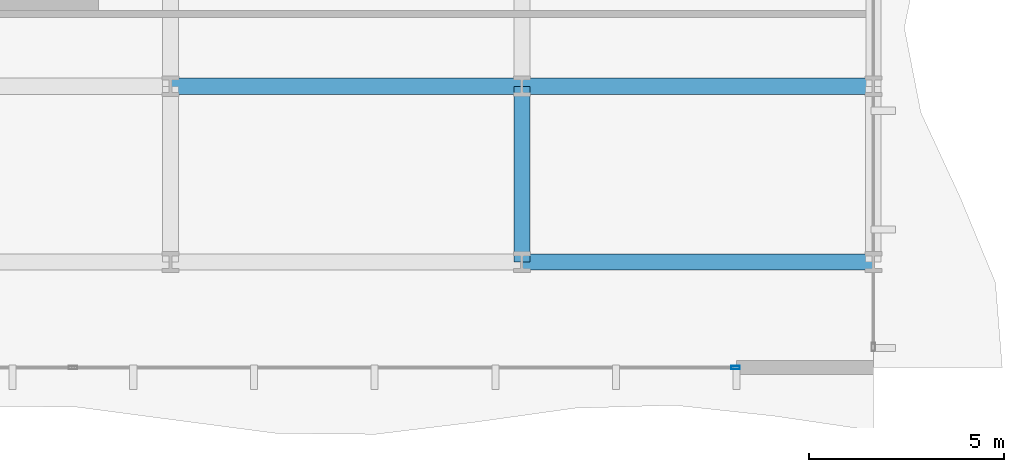
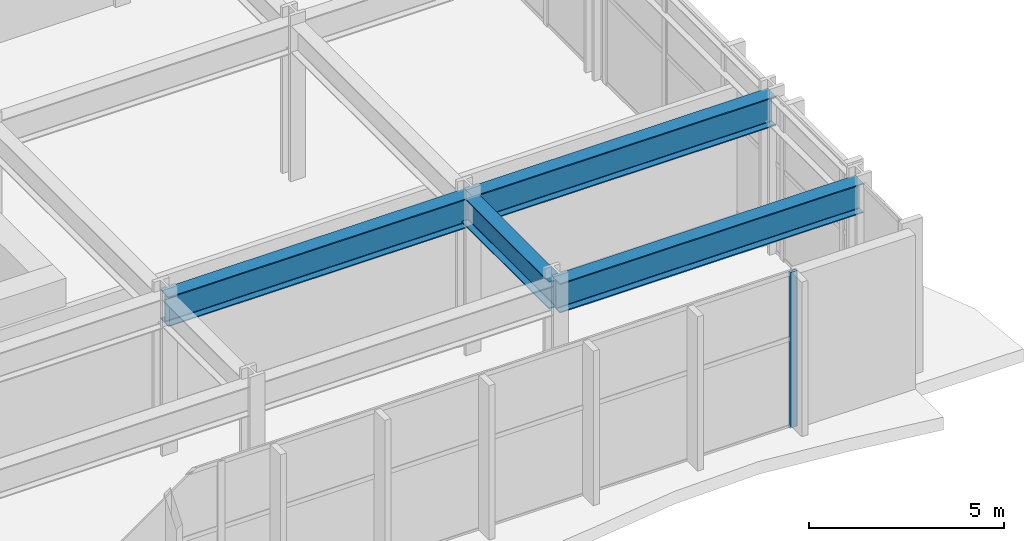
# One storey, part 10 of 33: 4 beams, 1 member, 1 element without a shape of its own.
"""IFC4 building model written with IfcOpenShell, lengths in metres."""

from ifc_helpers import new_model, si_unit, direction, frame, origin, origin_2d, place, context, subcontext, project, spatial, hollow_rectangle, i_section, extrude, material, layer, layer_set, material_profile, profile_set, type_object, element, aggregate, save


model = new_model("IFC4")

# Units and contexts
model_context = context("Model", 3, precision=1e-05, world=origin(), true_north=direction((0.0, 1.0)))
body_context = subcontext(model_context, "Body", "Model", "MODEL_VIEW")
ifc_project = project(units=[si_unit("LENGTHUNIT", "METRE"), si_unit("AREAUNIT", "SQUARE_METRE"), si_unit("VOLUMEUNIT", "CUBIC_METRE"), si_unit("PLANEANGLEUNIT", "RADIAN"), si_unit("MASSUNIT", "GRAM", prefix="KILO")], contexts=[model_context])

# Site, building, storey
site_placement = place(None, origin())
site = spatial("IfcSite", under=ifc_project, at=site_placement, CompositionType="ELEMENT")
building_placement = place(site_placement, origin())
building = spatial("IfcBuilding", under=site, at=building_placement, Name="Solvaryn Broadcast Tower", CompositionType="ELEMENT")
storey_placement = place(building_placement, frame((0.0, 0.0, 5.800048828125)))
storey = spatial("IfcBuildingStorey", under=building, at=storey_placement, Name="L01", CompositionType="ELEMENT", Elevation=5.800048828125)

# Beams
ifc_material_1 = material(Name="Steel ASTM A992 Grade 50", Category="steel")
ifc_material_profile_1 = material_profile(ifc_material_1, i_section(OverallWidth=0.41796875, OverallDepth=0.927001953125, WebThickness=0.019287109375, FlangeThickness=0.031982421875, FilletRadius=0.02392578125, at=origin_2d()))
ifc_profile_set_1 = profile_set([ifc_material_profile_1], Name="Steel ASTM A992 Grade 50")
beam_type_1 = type_object("IfcBeamType", Name="BM-G2-W36X231", PredefinedType="BEAM", material=ifc_profile_set_1)
for number, where, z_axis, x_axis, name in (
    (1, (54.0, 4.5, 4.41650390625), (1.0, 0.0, 0.0), (0.0, 1.0, 0.0), "L01 Primary Beam X (54-63 @ Y=4)"),
    (2, (45.0, 9.0, 4.41650390625), (1.0, 0.0, 0.0), (0.0, 1.0, 0.0), "L01 Primary Beam X (45-54 @ Y=9)"),
    (3, (54.0, 9.0, 4.41650390625), (1.0, 0.0, 0.0), (0.0, 1.0, 0.0), "L01 Primary Beam X (54-63 @ Y=9)"),
):
    element("IfcBeam", number, at=place(storey_placement, frame(where, z_axis=z_axis, x_axis=x_axis)), inside=storey, type_object=beam_type_1, Name=name, PredefinedType="BEAM", context=body_context, shape_type="SweptSolid", body=[
        extrude(i_section(OverallWidth=0.41796875, OverallDepth=0.927001953125, WebThickness=0.019287109375, FlangeThickness=0.031982421875, FilletRadius=0.02392578125, at=origin_2d()), origin(), (0.0, 0.0, 1.0), 9.0),
    ])
ifc_material_2 = material(Name="Steel ASTM A992 Grade 50", Category="steel")
ifc_material_profile_2 = material_profile(ifc_material_2, i_section(OverallWidth=0.39990234375, OverallDepth=0.85498046875, WebThickness=0.018310546875, FlangeThickness=0.029296875, FilletRadius=0.02001953125, at=origin_2d()))
ifc_profile_set_2 = profile_set([ifc_material_profile_2], Name="Steel ASTM A992 Grade 50")
beam_type_2 = type_object("IfcBeamType", Name="BM-G3-W33X201", PredefinedType="BEAM", material=ifc_profile_set_2)
beam_placement = place(storey_placement, frame((54.0, 4.5, 4.452392578125), z_axis=(0.0, 1.0, 0.0), x_axis=(-1.0, 0.0, 0.0)))
element("IfcBeam", 4, at=beam_placement, inside=storey, type_object=beam_type_2, Name="L01 Primary Beam Y (4-9 @ X=54)", PredefinedType="BEAM", context=body_context, shape_type="SweptSolid", body=[
    extrude(i_section(OverallWidth=0.39990234375, OverallDepth=0.85498046875, WebThickness=0.018310546875, FlangeThickness=0.029296875, FilletRadius=0.02001953125, at=origin_2d()), origin(), (0.0, 0.0, 1.0), 4.5),
])

# Curtain wall, member
ifc_material_3 = material(Name="Aluminium and Terracotta Unitised Curtain Wall", Category="masonry")
ifc_layer = layer(ifc_material_3, 0.219970703125)
ifc_layer_set = layer_set([ifc_layer], Name="CW-SYS1-PODIUM")
curtain_wall_type = type_object("IfcCurtainWallType", Name="CW-SYS1-PODIUM", PredefinedType="NOTDEFINED", material=ifc_layer_set)
curtain_wall_placement = place(storey_placement, origin())
curtain_wall = element("IfcCurtainWall", 5, at=curtain_wall_placement, inside=storey, type_object=curtain_wall_type, Name="L01 Podium Curtain Wall S1", PredefinedType="NOTDEFINED")
ifc_material_4 = material(Name="Anodised Aluminium 6063-T6", Category="aluminium")
ifc_material_profile_3 = material_profile(ifc_material_4, hollow_rectangle(XDim=0.0849609375, YDim=0.219970703125, WallThickness=0.0048828125, InnerFilletRadius=0.0048828125, OuterFilletRadius=0.010009765625, at=origin_2d()))
ifc_profile_set_3 = profile_set([ifc_material_profile_3], Name="Anodised Aluminium 6063-T6")
member_type = type_object("IfcMemberType", Name="CW-MUL-220", PredefinedType="MULLION", material=ifc_profile_set_3)
member_placement = place(storey_placement, frame((59.469970703125, 1.800048828125, 0.0), z_axis=(0.0, 0.0, 1.0), x_axis=(0.0, -1.0, 0.0)))
member = element("IfcMember", 6, at=member_placement, type_object=member_type, Name="CWS1 mullion 1", PredefinedType="MULLION", context=body_context, shape_type="SweptSolid", body=[
    extrude(hollow_rectangle(XDim=0.0849609375, YDim=0.219970703125, WallThickness=0.0048828125, InnerFilletRadius=0.0048828125, OuterFilletRadius=0.010009765625, at=origin_2d()), origin(), (0.0, 0.0, 1.0), 4.8798828125),
])
aggregate(curtain_wall, [member])

save(model, "model.ifc")
